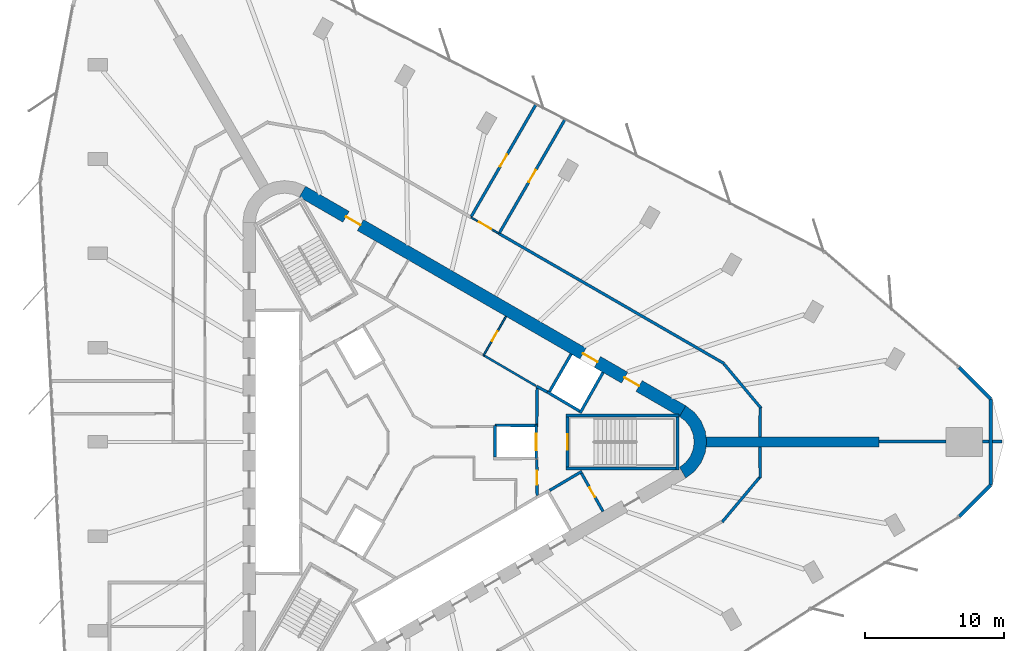
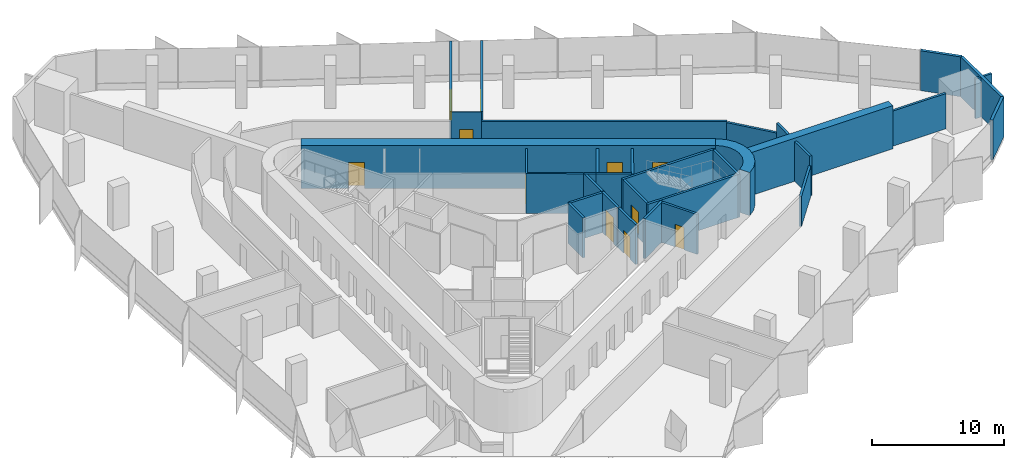
# One storey, part 11 of 13: 34 walls, 11 doors, 11 openings.
"""IFC4 building model written with IfcOpenShell, lengths in metres."""

from ifc_helpers import new_model, si_unit, direction, frame, frame_2d, origin, place, context, subcontext, project, spatial, polyline, rectangle, outline, extrude, material, layer, layer_set, type_object, element, fill, save


model = new_model("IFC4")

# Units and contexts
model_context = context("Model", 3, precision=1e-05, world=origin(), true_north=direction((0.0, 1.0)))
body_context = subcontext(model_context, "Body", "Model", "MODEL_VIEW")
ifc_project = project(units=[si_unit("LENGTHUNIT", "METRE"), si_unit("AREAUNIT", "SQUARE_METRE"), si_unit("VOLUMEUNIT", "CUBIC_METRE"), si_unit("PLANEANGLEUNIT", "RADIAN"), si_unit("MASSUNIT", "GRAM", prefix="KILO")], contexts=[model_context])

# Site, building, storey
site_placement = place(None, origin())
site = spatial("IfcSite", under=ifc_project, at=site_placement, CompositionType="ELEMENT")
building_placement = place(site_placement, origin())
building = spatial("IfcBuilding", under=site, at=building_placement, Name="Tanit Gate Tower", CompositionType="ELEMENT")
storey_placement = place(building_placement, frame((0.0, 0.0, 177.199951171875)))
storey = spatial("IfcBuildingStorey", under=building, at=storey_placement, Name="L38", CompositionType="ELEMENT", Elevation=177.199951171875)

# Wall
ifc_material_1 = material(Name="Concrete C50/60", Category="concrete")
ifc_layer_1 = layer(ifc_material_1, 0.699951171875)
ifc_layer_set_1 = layer_set([ifc_layer_1], Name="BUTTRESS FIN 700 C50/60")
wall_type_1 = type_object("IfcWallType", Name="BUTTRESS FIN 700 C50/60", PredefinedType="SHEAR", material=ifc_layer_set_1)
wall_1_placement = place(storey_placement, frame((21.14990234375, 0.0, 0.0), z_axis=(0.0, 0.0, 1.0), x_axis=(1.0, 0.0, 0.0)))
element("IfcWall", 1, at=wall_1_placement, inside=storey, type_object=wall_type_1, Name="BUTTRESS FIN", PredefinedType="SHEAR", context=body_context, shape_type="SweptSolid", body=[
    extrude(rectangle(XDim=12.4326171875, YDim=0.699951171875, at=frame_2d((6.21630859375, 0.0))), origin(), (0.0, 0.0, 1.0), 4.0),
])

# Wall, openings, doors
ifc_material_2 = material(Name="Concrete C50/60", Category="concrete")
ifc_layer_2 = layer(ifc_material_2, 0.89990234375)
ifc_layer_set_2 = layer_set([ifc_layer_2], Name="CORE WALL 900 C50/60")
wall_type_2 = type_object("IfcWallType", Name="CORE WALL 900 C50/60", PredefinedType="SHEAR", material=ifc_layer_set_2)
wall_2_placement = place(storey_placement, frame((19.47509765625, 2.20849609375, 0.0), z_axis=(0.0, 0.0, 1.0), x_axis=(-0.866028369851, 0.499994862586, 0.0)))
wall_2 = element("IfcWall", 2, at=wall_2_placement, inside=storey, type_object=wall_type_2, Name="CORE WALL", PredefinedType="SHEAR", context=body_context, shape_type="SweptSolid", body=[
    extrude(rectangle(XDim=31.523193359375, YDim=0.89990234375, at=frame_2d((15.76171875, 0.0))), origin(), (0.0, 0.0, 1.0), 4.0),
])
opening_1_placement = place(wall_2_placement, frame((7.0615234375, 0.0, 0.0)))
opening_1 = element("IfcOpeningElement", 3, at=opening_1_placement, cuts=wall_2, Name="Opening LDML8-S09", PredefinedType="OPENING", context=body_context, shape_type="SweptSolid", body=[
    extrude(rectangle(XDim=1.199951171875, YDim=2.39990234375, at=frame_2d((0.60009765625, 1.199951171875))), frame((0.0, 0.4599609375, 0.0), z_axis=(0.0, -1.0, 0.0), x_axis=(1.0, 0.0, 0.0)), (0.0, 0.0, 1.0), 0.919921875),
])
opening_2_placement = place(wall_2_placement, frame((3.611572265625, 0.0, 0.0)))
opening_2 = element("IfcOpeningElement", 4, at=opening_2_placement, cuts=wall_2, Name="Opening F12-S09-FL1", PredefinedType="OPENING", context=body_context, shape_type="SweptSolid", body=[
    extrude(rectangle(XDim=1.199951171875, YDim=2.39990234375, at=frame_2d((0.60009765625, 1.199951171875))), frame((0.0, 0.4599609375, 0.0), z_axis=(0.0, -1.0, 0.0), x_axis=(1.0, 0.0, 0.0)), (0.0, 0.0, 1.0), 0.919921875),
])
opening_3_placement = place(wall_2_placement, frame((26.711669921875, 0.0, 0.0)))
opening_3 = element("IfcOpeningElement", 5, at=opening_3_placement, cuts=wall_2, Name="Opening F12-S09-S2", PredefinedType="OPENING", context=body_context, shape_type="SweptSolid", body=[
    extrude(rectangle(XDim=1.199951171875, YDim=2.39990234375, at=frame_2d((0.60009765625, 1.199951171875))), frame((0.0, 0.4599609375, 0.0), z_axis=(0.0, -1.0, 0.0), x_axis=(1.0, 0.0, 0.0)), (0.0, 0.0, 1.0), 0.919921875),
])
ifc_material_3 = material(Name="Fire-rated steel door leaf", Category="steel")
door_type_1 = type_object("IfcDoorType", Name="INT-DOOR-FIRE-LOBBY-1200", OperationType="NOTDEFINED", PredefinedType="USERDEFINED", material=ifc_material_3)
door_1_placement = place(opening_2_placement, origin())
door_1 = element("IfcDoor", 6, at=door_1_placement, inside=storey, type_object=door_type_1, Name="Door F12-S09-FL1", ObjectType="FIRE DOOR", OperationType="SINGLE_SWING_LEFT", OverallHeight=2.39990234375, OverallWidth=1.199951171875, PredefinedType="USERDEFINED", context=body_context, shape_type="SweptSolid", body=[
    extrude(rectangle(XDim=1.199951171875, YDim=2.39990234375, at=frame_2d((0.60009765625, 1.199951171875))), frame((0.0, 0.02490234375, 0.0), z_axis=(0.0, -1.0, 0.0), x_axis=(1.0, 0.0, 0.0)), (0.0, 0.0, 1.0), 0.050048828125),
])
fill(opening_2, door_1)
door_2_placement = place(opening_3_placement, origin())
door_2 = element("IfcDoor", 7, at=door_2_placement, inside=storey, type_object=door_type_1, Name="Door F12-S09-S2", ObjectType="FIRE DOOR", OperationType="SINGLE_SWING_LEFT", OverallHeight=2.39990234375, OverallWidth=1.199951171875, PredefinedType="USERDEFINED", context=body_context, shape_type="SweptSolid", body=[
    extrude(rectangle(XDim=1.199951171875, YDim=2.39990234375, at=frame_2d((0.60009765625, 1.199951171875))), frame((0.0, 0.02490234375, 0.0), z_axis=(0.0, -1.0, 0.0), x_axis=(1.0, 0.0, 0.0)), (0.0, 0.0, 1.0), 0.050048828125),
])
fill(opening_3, door_2)
ifc_material_4 = material(Name="Stainless steel sliding door leaf", Category="steel")
door_type_2 = type_object("IfcDoorType", Name="INT-DOOR-LANDING-1200", OperationType="NOTDEFINED", PredefinedType="USERDEFINED", material=ifc_material_4)
door_3_placement = place(opening_1_placement, origin())
door_3 = element("IfcDoor", 8, at=door_3_placement, inside=storey, type_object=door_type_2, Name="Door LDML8-S09", ObjectType="LANDING DOOR", OperationType="SLIDING_TO_LEFT", OverallHeight=2.39990234375, OverallWidth=1.199951171875, PredefinedType="USERDEFINED", context=body_context, shape_type="SweptSolid", body=[
    extrude(rectangle(XDim=1.199951171875, YDim=2.39990234375, at=frame_2d((0.60009765625, 1.199951171875))), frame((0.0, 0.02490234375, 0.0), z_axis=(0.0, -1.0, 0.0), x_axis=(1.0, 0.0, 0.0)), (0.0, 0.0, 1.0), 0.050048828125),
])
fill(opening_1, door_3)

# Walls
wall_3_placement = place(storey_placement, origin())
element("IfcWall", 9, at=wall_3_placement, inside=storey, type_object=wall_type_2, Name="CORE WALL CORNER", PredefinedType="SHEAR", context=body_context, shape_type="SweptSolid", body=[
    extrude(outline(polyline([(19.699951171875, -2.59814453125), (20.3212890625, -2.121337890625), (20.798095703125, -1.5), (21.097900390625, -0.776611328125), (21.199951171875, 0.0), (21.097900390625, 0.776611328125), (20.798095703125, 1.5), (20.3212890625, 2.121337890625), (19.699951171875, 2.59814453125), (19.25, 1.818603515625), (19.684814453125, 1.48486328125), (20.018798828125, 1.050048828125), (20.228515625, 0.54345703125), (20.300048828125, 0.0), (20.228515625, -0.54345703125), (20.018798828125, -1.050048828125), (19.684814453125, -1.48486328125), (19.25, -1.818603515625), (19.699951171875, -2.59814453125)])), origin(), (0.0, 0.0, 1.0), 4.0),
])
ifc_material_5 = material(Name="Concrete C30/37 with bronze anodised aluminium cladding", Category="concrete")
ifc_layer_3 = layer(ifc_material_5, 0.239990234375)
ifc_layer_set_3 = layer_set([ifc_layer_3], Name="Facade wall bronze clad 240")
wall_type_3 = type_object("IfcWallType", Name="Facade wall bronze clad 240", PredefinedType="SOLIDWALL", material=ifc_layer_set_3)
wall_4_placement = place(storey_placement, frame((39.323486328125, -5.360595703125, 0.0), z_axis=(0.0, 0.0, 1.0), x_axis=(0.707106781187, 0.707106781187, 0.0)))
element("IfcWall", 10, at=wall_4_placement, inside=storey, type_object=wall_type_3, Name="Bronze-clad facade wall L38 E.arc1", PredefinedType="SOLIDWALL", context=body_context, shape_type="SweptSolid", body=[
    extrude(rectangle(XDim=3.21484375, YDim=0.239990234375, at=frame_2d((1.607421875, 0.0))), origin(), (0.0, 0.0, 1.0), 3.699951171875),
])
wall_5_placement = place(storey_placement, frame((41.5966796875, -3.08740234375, 0.0), z_axis=(0.0, 0.0, 1.0), x_axis=(0.0, 1.0, 0.0)))
element("IfcWall", 11, at=wall_5_placement, inside=storey, type_object=wall_type_3, Name="Bronze-clad facade wall L38 E.arc2", PredefinedType="SOLIDWALL", context=body_context, shape_type="SweptSolid", body=[
    extrude(rectangle(XDim=6.1748046875, YDim=0.239990234375, at=frame_2d((3.08740234375, 0.0))), origin(), (0.0, 0.0, 1.0), 3.699951171875),
])
wall_6_placement = place(storey_placement, frame((41.5966796875, 3.08740234375, 0.0), z_axis=(0.0, 0.0, 1.0), x_axis=(-0.70714464399, 0.707068916356, 0.0)))
element("IfcWall", 12, at=wall_6_placement, inside=storey, type_object=wall_type_3, Name="Bronze-clad facade wall L38 E.arc3", PredefinedType="SOLIDWALL", context=body_context, shape_type="SweptSolid", body=[
    extrude(rectangle(XDim=3.223876953125, YDim=0.239990234375, at=frame_2d((1.61181640625, 0.0))), origin(), (0.0, 0.0, 1.0), 3.699951171875),
])
ifc_material_6 = material(Name="Fire-rated gypsum board partition")
ifc_layer_4 = layer(ifc_material_6, 0.199951171875)
ifc_layer_set_4 = layer_set([ifc_layer_4], Name="INT-WALL-COMPARTMENT")
wall_type_4 = type_object("IfcWallType", Name="INT-WALL-COMPARTMENT", PredefinedType="PARTITIONING", material=ifc_layer_set_4)
wall_7_placement = place(storey_placement, frame((8.97412109375, 3.998779296875, 0.0), z_axis=(0.0, 0.0, 1.0), x_axis=(0.880917147855, -0.473270513147, 0.0)))
element("IfcWall", 13, at=wall_7_placement, inside=storey, type_object=wall_type_4, Name="Wall Compartment W050", PredefinedType="PARTITIONING", context=body_context, shape_type="SweptSolid", body=[
    extrude(rectangle(XDim=0.8779296875, YDim=0.199951171875, at=frame_2d((0.43896484375, 0.0))), origin(), (0.0, 0.0, 1.0), 3.699951171875),
])
wall_8_placement = place(storey_placement, frame((12.244873046875, -2.10888671875, 0.0), z_axis=(0.0, 0.0, 1.0), x_axis=(-0.860414880418, -0.509594185166, 0.0)))
element("IfcWall", 14, at=wall_8_placement, inside=storey, type_object=wall_type_4, Name="Wall Compartment W057", PredefinedType="PARTITIONING", context=body_context, shape_type="SweptSolid", body=[
    extrude(rectangle(XDim=2.7001953125, YDim=0.199951171875, at=frame_2d((1.35009765625, 0.0))), origin(), (0.0, 0.0, 1.0), 3.699951171875),
])

# Wall, opening, door
wall_9_placement = place(storey_placement, frame((13.758056640625, -4.989501953125, 0.0), z_axis=(0.0, 0.0, 1.0), x_axis=(-0.491993409184, 0.87059892334, 0.0)))
wall_9 = element("IfcWall", 15, at=wall_9_placement, inside=storey, type_object=wall_type_4, Name="Wall Compartment W058", PredefinedType="PARTITIONING", context=body_context, shape_type="SweptSolid", body=[
    extrude(rectangle(XDim=3.150146484375, YDim=0.199951171875, at=frame_2d((1.5751953125, 0.0))), origin(), (0.0, 0.0, 1.0), 3.699951171875),
])
opening_4_placement = place(wall_9_placement, frame((1.175048828125, 0.0, 0.0)))
opening_4 = element("IfcOpeningElement", 16, at=opening_4_placement, cuts=wall_9, Name="Opening R08-S09-15", PredefinedType="OPENING", context=body_context, shape_type="SweptSolid", body=[
    extrude(rectangle(XDim=0.800048828125, YDim=2.10009765625, at=frame_2d((0.39990234375, 1.050048828125))), frame((0.0, 0.10986328125, 0.0), z_axis=(0.0, -1.0, 0.0), x_axis=(1.0, 0.0, 0.0)), (0.0, 0.0, 1.0), 0.219970703125),
])
ifc_material_7 = material(Name="Timber door leaf", Category="wood")
door_type_3 = type_object("IfcDoorType", Name="INT-DOOR-RISER-800", OperationType="NOTDEFINED", PredefinedType="USERDEFINED", material=ifc_material_7)
door_4_placement = place(opening_4_placement, origin())
door_4 = element("IfcDoor", 17, at=door_4_placement, inside=storey, type_object=door_type_3, Name="Door R08-S09-15", ObjectType="FIRE DOOR", OperationType="SINGLE_SWING_LEFT", OverallHeight=2.10009765625, OverallWidth=0.800048828125, PredefinedType="USERDEFINED", context=body_context, shape_type="SweptSolid", body=[
    extrude(rectangle(XDim=0.800048828125, YDim=2.10009765625, at=frame_2d((0.39990234375, 1.050048828125))), frame((0.0, 0.02490234375, 0.0), z_axis=(0.0, -1.0, 0.0), x_axis=(1.0, 0.0, 0.0)), (0.0, 0.0, 1.0), 0.050048828125),
])
fill(opening_4, door_4)

# Wall
wall_10_placement = place(storey_placement, frame((9.0009765625, 1.27001953125, 0.0), z_axis=(0.0, 0.0, 1.0), x_axis=(0.01074821465, 0.999942236273, 0.0)))
element("IfcWall", 18, at=wall_10_placement, inside=storey, type_object=wall_type_4, Name="Wall Compartment W059", PredefinedType="PARTITIONING", context=body_context, shape_type="SweptSolid", body=[
    extrude(rectangle(XDim=2.725830078125, YDim=0.199951171875, at=frame_2d((1.36279296875, 0.0))), origin(), (0.0, 0.0, 1.0), 3.699951171875),
])

# Wall, opening, door
wall_11_placement = place(storey_placement, frame((9.02880859375, -3.850830078125, 0.0), z_axis=(0.0, 0.0, 1.0), x_axis=(-0.010783593937, 0.99994185536, 0.0)))
wall_11 = element("IfcWall", 19, at=wall_11_placement, inside=storey, type_object=wall_type_4, Name="Wall Compartment W060", PredefinedType="PARTITIONING", context=body_context, shape_type="SweptSolid", body=[
    extrude(rectangle(XDim=2.5810546875, YDim=0.199951171875, at=frame_2d((1.29052734375, 0.0))), origin(), (0.0, 0.0, 1.0), 3.699951171875),
])
opening_5_placement = place(wall_11_placement, frame((0.79052734375, 0.0, 0.0)))
opening_5 = element("IfcOpeningElement", 20, at=opening_5_placement, cuts=wall_11, Name="Opening F10-S09-02", PredefinedType="OPENING", context=body_context, shape_type="SweptSolid", body=[
    extrude(rectangle(XDim=1.0, YDim=2.10009765625, at=frame_2d((0.5, 1.050048828125))), frame((0.0, 0.10986328125, 0.0), z_axis=(0.0, -1.0, 0.0), x_axis=(1.0, 0.0, 0.0)), (0.0, 0.0, 1.0), 0.219970703125),
])
ifc_material_8 = material(Name="Fire-rated steel door leaf", Category="steel")
door_type_4 = type_object("IfcDoorType", Name="INT-DOOR-FIRE-1000", OperationType="NOTDEFINED", PredefinedType="USERDEFINED", material=ifc_material_8)
door_5_placement = place(opening_5_placement, origin())
door_5 = element("IfcDoor", 21, at=door_5_placement, inside=storey, type_object=door_type_4, Name="Door F10-S09-02", ObjectType="FIRE DOOR", OperationType="SINGLE_SWING_RIGHT", OverallHeight=2.10009765625, OverallWidth=1.0, PredefinedType="USERDEFINED", context=body_context, shape_type="SweptSolid", body=[
    extrude(rectangle(XDim=1.0, YDim=2.10009765625, at=frame_2d((0.5, 1.050048828125))), frame((0.0, 0.02490234375, 0.0), z_axis=(0.0, -1.0, 0.0), x_axis=(1.0, 0.0, 0.0)), (0.0, 0.0, 1.0), 0.050048828125),
])
fill(opening_5, door_5)

# Walls
wall_12_placement = place(storey_placement, frame((22.466064453125, 5.619873046875, 0.0), z_axis=(0.0, 0.0, 1.0), x_axis=(-0.866024667879, 0.500001274624, 0.0)))
element("IfcWall", 22, at=wall_12_placement, inside=storey, type_object=wall_type_4, Name="Wall Compartment W101", PredefinedType="PARTITIONING", context=body_context, shape_type="SweptSolid", body=[
    extrude(rectangle(XDim=18.6962890625, YDim=0.199951171875, at=frame_2d((9.34814453125, 0.0))), origin(), (0.0, 0.0, 1.0), 2.880126953125),
])
wall_13_placement = place(storey_placement, frame((25.12109375, 2.40283203125, 0.0), z_axis=(0.0, 0.0, 1.0), x_axis=(-0.642809831665, 0.766025796116, 0.0)))
element("IfcWall", 23, at=wall_13_placement, inside=storey, type_object=wall_type_4, Name="Wall Compartment W102", PredefinedType="PARTITIONING", context=body_context, shape_type="SweptSolid", body=[
    extrude(rectangle(XDim=4.164794921875, YDim=0.199951171875, at=frame_2d((2.08251953125, 0.0))), origin(), (0.0, 0.0, 1.0), 2.780029296875),
])
wall_14_placement = place(storey_placement, frame((25.0205078125, 0.35009765625, 0.0), z_axis=(0.0, 0.0, 1.0), x_axis=(0.012014998271, 0.999927817303, 0.0)))
element("IfcWall", 24, at=wall_14_placement, inside=storey, type_object=wall_type_4, Name="Wall Compartment W103", PredefinedType="PARTITIONING", context=body_context, shape_type="SweptSolid", body=[
    extrude(rectangle(XDim=2.093017578125, YDim=0.199951171875, at=frame_2d((1.04638671875, 0.0))), origin(), (0.0, 0.0, 1.0), 3.699951171875),
])
wall_15_placement = place(storey_placement, frame((25.047607421875, -2.608154296875, 0.0), z_axis=(0.0, 0.0, 1.0), x_axis=(-0.012000433251, 0.999927992208, 0.0)))
element("IfcWall", 25, at=wall_15_placement, inside=storey, type_object=wall_type_4, Name="Wall Compartment W105", PredefinedType="PARTITIONING", context=body_context, shape_type="SweptSolid", body=[
    extrude(rectangle(XDim=2.25830078125, YDim=0.199951171875, at=frame_2d((1.129150390625, 0.0))), origin(), (0.0, 0.0, 1.0), 3.699951171875),
])
wall_16_placement = place(storey_placement, frame((22.315185546875, -5.746337890625, 0.0), z_axis=(0.0, 0.0, 1.0), x_axis=(0.642828004621, 0.76601054593, 0.0)))
element("IfcWall", 26, at=wall_16_placement, inside=storey, type_object=wall_type_4, Name="Wall Compartment W106", PredefinedType="PARTITIONING", context=body_context, shape_type="SweptSolid", body=[
    extrude(rectangle(XDim=4.19970703125, YDim=0.199951171875, at=frame_2d((2.099853515625, 0.0))), origin(), (0.0, 0.0, 1.0), 2.780029296875),
])

# Wall, opening, door
wall_17_placement = place(storey_placement, frame((8.941162109375, 24.2265625, 0.0), z_axis=(0.0, 0.0, 1.0), x_axis=(-0.500002216581, -0.866024124037, 0.0)))
wall_17 = element("IfcWall", 27, at=wall_17_placement, inside=storey, type_object=wall_type_4, Name="Wall Compartment W123", PredefinedType="PARTITIONING", context=body_context, shape_type="SweptSolid", body=[
    extrude(rectangle(XDim=9.29150390625, YDim=0.199951171875, at=frame_2d((4.645751953125, 0.0))), origin(), (0.0, 0.0, 1.0), 3.699951171875),
])
opening_6_placement = place(wall_17_placement, frame((4.145751953125, 0.0, 0.0)))
opening_6 = element("IfcOpeningElement", 28, at=opening_6_placement, cuts=wall_17, Name="Opening F10-S09-26", PredefinedType="OPENING", context=body_context, shape_type="SweptSolid", body=[
    extrude(rectangle(XDim=1.0, YDim=2.10009765625, at=frame_2d((0.5, 1.050048828125))), frame((0.0, 0.10986328125, 0.0), z_axis=(0.0, -1.0, 0.0), x_axis=(1.0, 0.0, 0.0)), (0.0, 0.0, 1.0), 0.219970703125),
])
door_6_placement = place(opening_6_placement, origin())
door_6 = element("IfcDoor", 29, at=door_6_placement, inside=storey, type_object=door_type_4, Name="Door F10-S09-26", ObjectType="FIRE DOOR", OperationType="SINGLE_SWING_LEFT", OverallHeight=2.10009765625, OverallWidth=1.0, PredefinedType="USERDEFINED", context=body_context, shape_type="SweptSolid", body=[
    extrude(rectangle(XDim=1.0, YDim=2.10009765625, at=frame_2d((0.5, 1.050048828125))), frame((0.0, 0.02490234375, 0.0), z_axis=(0.0, -1.0, 0.0), x_axis=(1.0, 0.0, 0.0)), (0.0, 0.0, 1.0), 0.050048828125),
])
fill(opening_6, door_6)

wall_18_placement = place(storey_placement, frame((6.322021484375, 15.010009765625, 0.0), z_axis=(0.0, 0.0, 1.0), x_axis=(0.500005339912, 0.866022320763, 0.0)))
wall_18 = element("IfcWall", 30, at=wall_18_placement, inside=storey, type_object=wall_type_4, Name="Wall Compartment W124", PredefinedType="PARTITIONING", context=body_context, shape_type="SweptSolid", body=[
    extrude(rectangle(XDim=9.4130859375, YDim=0.199951171875, at=frame_2d((4.70654296875, 0.0))), origin(), (0.0, 0.0, 1.0), 3.699951171875),
])
opening_7_placement = place(wall_18_placement, frame((4.20654296875, 0.0, 0.0)))
opening_7 = element("IfcOpeningElement", 31, at=opening_7_placement, cuts=wall_18, Name="Opening F10-S09-27", PredefinedType="OPENING", context=body_context, shape_type="SweptSolid", body=[
    extrude(rectangle(XDim=1.0, YDim=2.10009765625, at=frame_2d((0.5, 1.050048828125))), frame((0.0, 0.10986328125, 0.0), z_axis=(0.0, -1.0, 0.0), x_axis=(1.0, 0.0, 0.0)), (0.0, 0.0, 1.0), 0.219970703125),
])
door_7_placement = place(opening_7_placement, origin())
door_7 = element("IfcDoor", 32, at=door_7_placement, inside=storey, type_object=door_type_4, Name="Door F10-S09-27", ObjectType="FIRE DOOR", OperationType="SINGLE_SWING_LEFT", OverallHeight=2.10009765625, OverallWidth=1.0, PredefinedType="USERDEFINED", context=body_context, shape_type="SweptSolid", body=[
    extrude(rectangle(XDim=1.0, YDim=2.10009765625, at=frame_2d((0.5, 1.050048828125))), frame((0.0, 0.02490234375, 0.0), z_axis=(0.0, -1.0, 0.0), x_axis=(1.0, 0.0, 0.0)), (0.0, 0.0, 1.0), 0.050048828125),
])
fill(opening_7, door_7)

# Walls
wall_19_placement = place(storey_placement, frame((33.58251953125, 0.030029296875, 0.0), z_axis=(0.0, 0.0, 1.0), x_axis=(1.0, 0.0, 0.0)))
element("IfcWall", 33, at=wall_19_placement, inside=storey, type_object=wall_type_4, Name="Wall Compartment W125", PredefinedType="PARTITIONING", context=body_context, shape_type="SweptSolid", body=[
    extrude(rectangle(XDim=4.815673828125, YDim=0.199951171875, at=frame_2d((2.40771484375, 0.0))), origin(), (0.0, 0.0, 1.0), 3.27001953125),
])
wall_20_placement = place(storey_placement, frame((40.998046875, 0.030029296875, 0.0), z_axis=(0.0, 0.0, 1.0), x_axis=(1.0, 0.0, 0.0)))
element("IfcWall", 34, at=wall_20_placement, inside=storey, type_object=wall_type_4, Name="Wall Compartment W126", PredefinedType="PARTITIONING", context=body_context, shape_type="SweptSolid", body=[
    extrude(rectangle(XDim=0.478515625, YDim=0.199951171875, at=frame_2d((0.2392578125, 0.0))), origin(), (0.0, 0.0, 1.0), 3.699951171875),
])
wall_21_placement = place(storey_placement, frame((41.716552734375, 0.030029296875, 0.0), z_axis=(0.0, 0.0, 1.0), x_axis=(1.0, 0.0, 0.0)))
element("IfcWall", 35, at=wall_21_placement, inside=storey, type_object=wall_type_4, Name="Wall Compartment W126x1", PredefinedType="PARTITIONING", context=body_context, shape_type="SweptSolid", body=[
    extrude(rectangle(XDim=0.69921875, YDim=0.199951171875, at=frame_2d((0.349609375, 0.0))), origin(), (0.0, 0.0, 1.0), 3.699951171875),
])

# Wall, opening, door
ifc_material_9 = material(Name="Gypsum board partition")
ifc_layer_5 = layer(ifc_material_9, 0.1201171875)
ifc_layer_set_5 = layer_set([ifc_layer_5], Name="INT-WALL-PARTITION")
wall_type_5 = type_object("IfcWallType", Name="INT-WALL-PARTITION", PredefinedType="PARTITIONING", material=ifc_layer_set_5)
wall_22_placement = place(storey_placement, frame((5.170166015625, 6.19482421875, 0.0), z_axis=(0.0, 0.0, 1.0), x_axis=(0.499984717929, 0.866034226713, 0.0)))
wall_22 = element("IfcWall", 36, at=wall_22_placement, inside=storey, type_object=wall_type_5, Name="Wall Partition W049", PredefinedType="PARTITIONING", context=body_context, shape_type="SweptSolid", body=[
    extrude(rectangle(XDim=3.25, YDim=0.1201171875, at=frame_2d((1.625, 0.0))), origin(), (0.0, 0.0, 1.0), 3.699951171875),
])
opening_8_placement = place(wall_22_placement, frame((1.22509765625, 0.0, 0.0)))
opening_8 = element("IfcOpeningElement", 37, at=opening_8_placement, cuts=wall_22, Name="Opening R08-S09-13", PredefinedType="OPENING", context=body_context, shape_type="SweptSolid", body=[
    extrude(rectangle(XDim=0.800048828125, YDim=2.10009765625, at=frame_2d((0.39990234375, 1.050048828125))), frame((0.0, 0.070068359375, 0.0), z_axis=(0.0, -1.0, 0.0), x_axis=(1.0, 0.0, 0.0)), (0.0, 0.0, 1.0), 0.14013671875),
])
door_8_placement = place(opening_8_placement, origin())
door_8 = element("IfcDoor", 38, at=door_8_placement, inside=storey, type_object=door_type_3, Name="Door R08-S09-13", ObjectType="FIRE DOOR", OperationType="SINGLE_SWING_LEFT", OverallHeight=2.10009765625, OverallWidth=0.800048828125, PredefinedType="USERDEFINED", context=body_context, shape_type="SweptSolid", body=[
    extrude(rectangle(XDim=0.800048828125, YDim=2.10009765625, at=frame_2d((0.39990234375, 1.050048828125))), frame((0.0, 0.02490234375, 0.0), z_axis=(0.0, -1.0, 0.0), x_axis=(1.0, 0.0, 0.0)), (0.0, 0.0, 1.0), 0.050048828125),
])
fill(opening_8, door_8)

wall_23_placement = place(storey_placement, frame((6.274658203125, 14.968017578125, 0.0), z_axis=(0.0, 0.0, 1.0), x_axis=(-0.866053019151, 0.499952165731, 0.0)))
wall_23 = element("IfcWall", 39, at=wall_23_placement, inside=storey, type_object=wall_type_5, Name="Wall Partition W097", PredefinedType="PARTITIONING", context=body_context, shape_type="SweptSolid", body=[
    extrude(rectangle(XDim=2.300048828125, YDim=0.1201171875, at=frame_2d((1.14990234375, 0.0))), origin(), (0.0, 0.0, 1.0), 3.699951171875),
])
opening_9_placement = place(wall_23_placement, frame((0.64990234375, 0.0, 0.0)))
opening_9 = element("IfcOpeningElement", 40, at=opening_9_placement, cuts=wall_23, Name="Opening D10-S09-18", PredefinedType="OPENING", context=body_context, shape_type="SweptSolid", body=[
    extrude(rectangle(XDim=1.0, YDim=2.10009765625, at=frame_2d((0.5, 1.050048828125))), frame((0.0, 0.070068359375, 0.0), z_axis=(0.0, -1.0, 0.0), x_axis=(1.0, 0.0, 0.0)), (0.0, 0.0, 1.0), 0.14013671875),
])
ifc_material_10 = material(Name="Timber door leaf", Category="wood")
door_type_5 = type_object("IfcDoorType", Name="INT-DOOR-SINGLE-1000", OperationType="NOTDEFINED", PredefinedType="NOTDEFINED", material=ifc_material_10)
door_9_placement = place(opening_9_placement, origin())
door_9 = element("IfcDoor", 41, at=door_9_placement, inside=storey, type_object=door_type_5, Name="Door D10-S09-18", OperationType="SINGLE_SWING_LEFT", OverallHeight=2.10009765625, OverallWidth=1.0, PredefinedType="NOTDEFINED", context=body_context, shape_type="SweptSolid", body=[
    extrude(rectangle(XDim=1.0, YDim=2.10009765625, at=frame_2d((0.5, 1.050048828125))), frame((0.0, 0.02490234375, 0.0), z_axis=(0.0, -1.0, 0.0), x_axis=(1.0, 0.0, 0.0)), (0.0, 0.0, 1.0), 0.050048828125),
])
fill(opening_9, door_9)

# Walls
ifc_material_11 = material(Name="Fire-rated gypsum board partition")
ifc_layer_6 = layer(ifc_material_11, 0.14990234375)
ifc_layer_set_6 = layer_set([ifc_layer_6], Name="INT-WALL-RISER")
wall_type_6 = type_object("IfcWallType", Name="INT-WALL-RISER", PredefinedType="PLUMBINGWALL", material=ifc_layer_set_6)
wall_24_placement = place(storey_placement, frame((8.9306640625, 4.024658203125, 0.0), z_axis=(0.0, 0.0, 1.0), x_axis=(-0.862666884027, 0.505772525157, 0.0)))
element("IfcWall", 42, at=wall_24_placement, inside=storey, type_object=wall_type_6, Name="Wall Riser W051", PredefinedType="PLUMBINGWALL", context=body_context, shape_type="SweptSolid", body=[
    extrude(rectangle(XDim=4.371826171875, YDim=0.14990234375, at=frame_2d((2.18603515625, 0.0))), origin(), (0.0, 0.0, 1.0), 3.699951171875),
])
ifc_material_12 = material(Name="Gypsum shaft wall system")
ifc_layer_7 = layer(ifc_material_12, 0.199951171875)
ifc_layer_set_7 = layer_set([ifc_layer_7], Name="INT-WALL-SHAFT")
wall_type_7 = type_object("IfcWallType", Name="INT-WALL-SHAFT", PredefinedType="PLUMBINGWALL", material=ifc_layer_set_7)
wall_25_placement = place(storey_placement, frame((9.8466796875, 3.494873046875, 0.0), z_axis=(0.0, 0.0, 1.0), x_axis=(0.499984717929, 0.866034226713, 0.0)))
element("IfcWall", 43, at=wall_25_placement, inside=storey, type_object=wall_type_7, Name="Wall Shaft W012", PredefinedType="PLUMBINGWALL", context=body_context, shape_type="SweptSolid", body=[
    extrude(rectangle(XDim=3.25, YDim=0.199951171875, at=frame_2d((1.625, 0.0))), origin(), (0.0, 0.0, 1.0), 3.699951171875),
])
wall_26_placement = place(storey_placement, frame((12.10986328125, 2.07275390625, 0.0), z_axis=(0.0, 0.0, 1.0), x_axis=(0.49196600604, 0.870614408852, 0.0)))
element("IfcWall", 44, at=wall_26_placement, inside=storey, type_object=wall_type_7, Name="Wall Shaft W013", PredefinedType="PLUMBINGWALL", context=body_context, shape_type="SweptSolid", body=[
    extrude(rectangle(XDim=3.35009765625, YDim=0.199951171875, at=frame_2d((1.675048828125, 0.0))), origin(), (0.0, 0.0, 1.0), 3.699951171875),
])
wall_27_placement = place(storey_placement, frame((12.072998046875, 2.2109375, 0.0), z_axis=(0.0, 0.0, 1.0), x_axis=(-0.860414880418, 0.509594185166, 0.0)))
element("IfcWall", 45, at=wall_27_placement, inside=storey, type_object=wall_type_7, Name="Wall Shaft W014", PredefinedType="PLUMBINGWALL", context=body_context, shape_type="SweptSolid", body=[
    extrude(rectangle(XDim=2.7001953125, YDim=0.199951171875, at=frame_2d((1.35009765625, 0.0))), origin(), (0.0, 0.0, 1.0), 3.699951171875),
])

# Wall, opening, door
wall_28_placement = place(storey_placement, frame((8.969970703125, 1.199951171875, 0.0), z_axis=(0.0, 0.0, 1.0), x_axis=(0.0, -1.0, 0.0)))
wall_28 = element("IfcWall", 46, at=wall_28_placement, inside=storey, type_object=wall_type_7, Name="Wall Shaft W029", PredefinedType="PLUMBINGWALL", context=body_context, shape_type="SweptSolid", body=[
    extrude(rectangle(XDim=2.39990234375, YDim=0.199951171875, at=frame_2d((1.199951171875, 0.0))), origin(), (0.0, 0.0, 1.0), 3.699951171875),
])
opening_10_placement = place(wall_28_placement, frame((0.60009765625, 0.0, 0.0)))
opening_10 = element("IfcOpeningElement", 47, at=opening_10_placement, cuts=wall_28, Name="Opening LDFL1-L38", PredefinedType="OPENING", context=body_context, shape_type="SweptSolid", body=[
    extrude(rectangle(XDim=1.199951171875, YDim=2.39990234375, at=frame_2d((0.60009765625, 1.199951171875))), frame((0.0, 0.10986328125, 0.0), z_axis=(0.0, -1.0, 0.0), x_axis=(1.0, 0.0, 0.0)), (0.0, 0.0, 1.0), 0.219970703125),
])
door_10_placement = place(opening_10_placement, origin())
door_10 = element("IfcDoor", 48, at=door_10_placement, inside=storey, type_object=door_type_2, Name="Door LDFL1-L38", ObjectType="LANDING DOOR", OperationType="SLIDING_TO_LEFT", OverallHeight=2.39990234375, OverallWidth=1.199951171875, PredefinedType="USERDEFINED", context=body_context, shape_type="SweptSolid", body=[
    extrude(rectangle(XDim=1.199951171875, YDim=2.39990234375, at=frame_2d((0.60009765625, 1.199951171875))), frame((0.0, 0.02490234375, 0.0), z_axis=(0.0, -1.0, 0.0), x_axis=(1.0, 0.0, 0.0)), (0.0, 0.0, 1.0), 0.050048828125),
])
fill(opening_10, door_10)

# Walls
wall_29_placement = place(storey_placement, frame((6.0, 1.199951171875, 0.0), z_axis=(0.0, 0.0, 1.0), x_axis=(0.999949988, -0.010001074852, 0.0)))
element("IfcWall", 49, at=wall_29_placement, inside=storey, type_object=wall_type_7, Name="Wall Shaft W030", PredefinedType="PLUMBINGWALL", context=body_context, shape_type="SweptSolid", body=[
    extrude(rectangle(XDim=3.100341796875, YDim=0.199951171875, at=frame_2d((1.55029296875, 0.0))), origin(), (0.0, 0.0, 1.0), 3.699951171875),
])
wall_30_placement = place(storey_placement, frame((6.0, -1.10009765625, 0.0), z_axis=(0.0, 0.0, 1.0), x_axis=(0.0, 1.0, 0.0)))
element("IfcWall", 50, at=wall_30_placement, inside=storey, type_object=wall_type_7, Name="Wall Shaft W032", PredefinedType="PLUMBINGWALL", context=body_context, shape_type="SweptSolid", body=[
    extrude(rectangle(XDim=2.279541015625, YDim=0.199951171875, at=frame_2d((1.1396484375, 0.0))), origin(), (0.0, 0.0, 1.0), 3.699951171875),
])
ifc_material_13 = material(Name="Concrete C40/50", Category="concrete")
ifc_layer_8 = layer(ifc_material_13, 0.199951171875)
ifc_layer_set_8 = layer_set([ifc_layer_8], Name="INT-WALL-STAIR")
wall_type_8 = type_object("IfcWallType", Name="INT-WALL-STAIR", PredefinedType="SHEAR", material=ifc_layer_set_8)
wall_31_placement = place(storey_placement, frame((19.199951171875, 1.89990234375, -0.300048828125), z_axis=(0.0, 0.0, 1.0), x_axis=(-1.0, 0.0, 0.0)))
element("IfcWall", 51, at=wall_31_placement, inside=storey, type_object=wall_type_8, Name="Wall Stair W025", PredefinedType="SHEAR", context=body_context, shape_type="SweptSolid", body=[
    extrude(rectangle(XDim=8.099853515625, YDim=0.199951171875, at=frame_2d((4.0498046875, 0.0))), origin(), (0.0, 0.0, 1.0), 4.0),
])
wall_32_placement = place(storey_placement, frame((19.10009765625, -2.0, -0.300048828125), z_axis=(0.0, 0.0, 1.0), x_axis=(0.0, 1.0, 0.0)))
element("IfcWall", 52, at=wall_32_placement, inside=storey, type_object=wall_type_8, Name="Wall Stair W026", PredefinedType="SHEAR", context=body_context, shape_type="SweptSolid", body=[
    extrude(rectangle(XDim=3.800048828125, YDim=0.199951171875, at=frame_2d((1.89990234375, 0.0))), origin(), (0.0, 0.0, 1.0), 4.0),
])
wall_33_placement = place(storey_placement, frame((11.10009765625, -1.89990234375, -0.300048828125), z_axis=(0.0, 0.0, 1.0), x_axis=(1.0, 0.0, 0.0)))
element("IfcWall", 53, at=wall_33_placement, inside=storey, type_object=wall_type_8, Name="Wall Stair W027", PredefinedType="SHEAR", context=body_context, shape_type="SweptSolid", body=[
    extrude(rectangle(XDim=7.89990234375, YDim=0.199951171875, at=frame_2d((3.949951171875, 0.0))), origin(), (0.0, 0.0, 1.0), 4.0),
])

# Wall, opening, door
wall_34_placement = place(storey_placement, frame((11.199951171875, -1.800048828125, -0.300048828125), z_axis=(0.0, 0.0, 1.0), x_axis=(0.0, 1.0, 0.0)))
wall_34 = element("IfcWall", 54, at=wall_34_placement, inside=storey, type_object=wall_type_8, Name="Wall Stair W028", PredefinedType="SHEAR", context=body_context, shape_type="SweptSolid", body=[
    extrude(rectangle(XDim=3.60009765625, YDim=0.199951171875, at=frame_2d((1.800048828125, 0.0))), origin(), (0.0, 0.0, 1.0), 4.0),
])
opening_11_placement = place(wall_34_placement, frame((1.25, 0.0, 0.300048828125)))
opening_11 = element("IfcOpeningElement", 55, at=opening_11_placement, cuts=wall_34, Name="Opening S11-S09-01", PredefinedType="OPENING", context=body_context, shape_type="SweptSolid", body=[
    extrude(rectangle(XDim=1.10009765625, YDim=2.10009765625, at=frame_2d((0.550048828125, 1.050048828125))), frame((0.0, 0.10986328125, 0.0), z_axis=(0.0, -1.0, 0.0), x_axis=(1.0, 0.0, 0.0)), (0.0, 0.0, 1.0), 0.219970703125),
])
ifc_material_14 = material(Name="Timber door leaf", Category="wood")
door_type_6 = type_object("IfcDoorType", Name="INT-DOOR-STAIR-1100", OperationType="NOTDEFINED", PredefinedType="USERDEFINED", material=ifc_material_14)
door_11_placement = place(opening_11_placement, origin())
door_11 = element("IfcDoor", 56, at=door_11_placement, inside=storey, type_object=door_type_6, Name="Door S11-S09-01", ObjectType="FIRE DOOR", OperationType="SINGLE_SWING_RIGHT", OverallHeight=2.10009765625, OverallWidth=1.10009765625, PredefinedType="USERDEFINED", context=body_context, shape_type="SweptSolid", body=[
    extrude(rectangle(XDim=1.10009765625, YDim=2.10009765625, at=frame_2d((0.550048828125, 1.050048828125))), frame((0.0, 0.02490234375, 0.0), z_axis=(0.0, -1.0, 0.0), x_axis=(1.0, 0.0, 0.0)), (0.0, 0.0, 1.0), 0.050048828125),
])
fill(opening_11, door_11)

save(model, "model.ifc")
